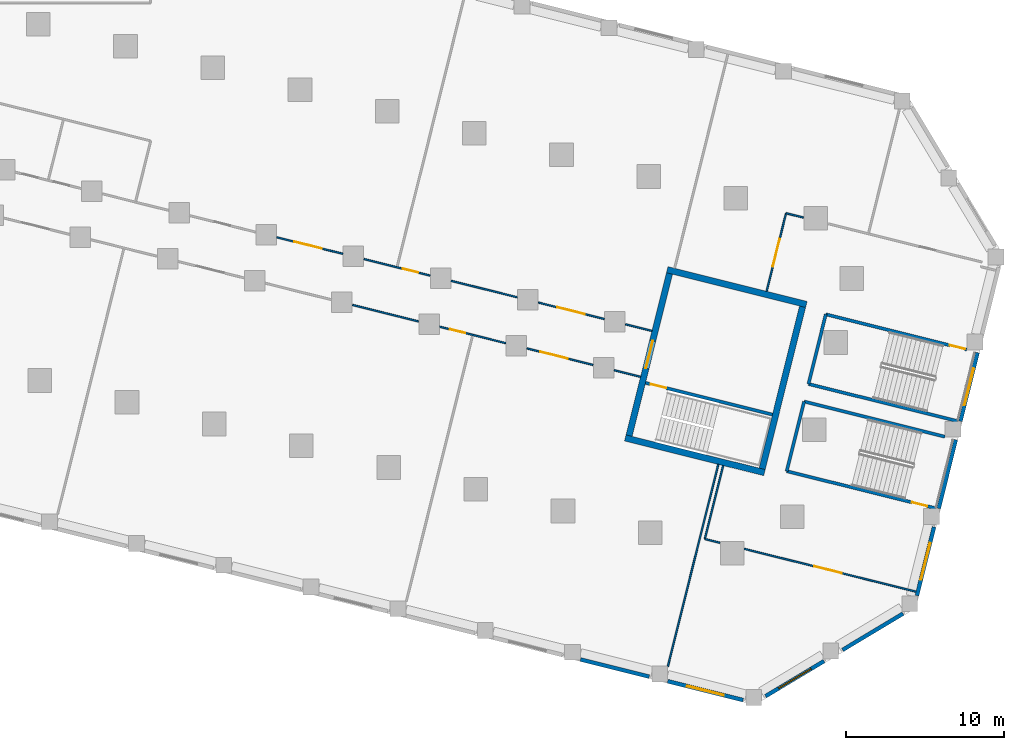
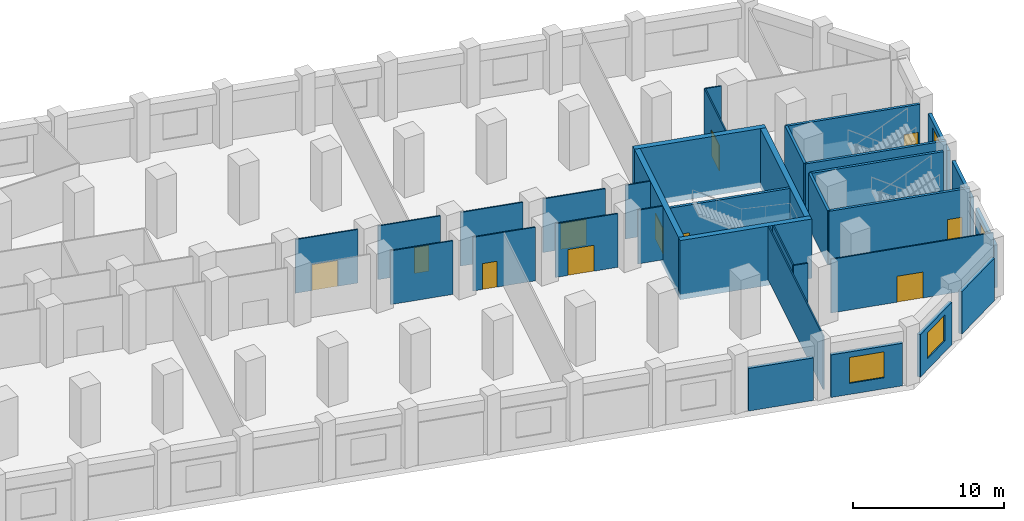
# One storey, part 6 of 15: 33 walls, 11 doors, 4 windows, 15 openings.
"""IFC4 building model written with IfcOpenShell, lengths in metres."""

from ifc_helpers import new_model, si_unit, direction, frame, frame_2d, origin, place, context, subcontext, project, spatial, rectangle, extrude, material, layer, layer_set, type_object, element, fill, save


model = new_model("IFC4")

# Units and contexts
model_context = context("Model", 3, precision=1e-05, world=origin(), true_north=direction((0.0, 1.0)))
body_context = subcontext(model_context, "Body", "Model", "MODEL_VIEW")
ifc_project = project(units=[si_unit("LENGTHUNIT", "METRE"), si_unit("AREAUNIT", "SQUARE_METRE"), si_unit("VOLUMEUNIT", "CUBIC_METRE"), si_unit("PLANEANGLEUNIT", "RADIAN"), si_unit("MASSUNIT", "GRAM", prefix="KILO")], contexts=[model_context])

# Site, building, storey
site_placement = place(None, origin())
site = spatial("IfcSite", under=ifc_project, at=site_placement, CompositionType="ELEMENT")
building_placement = place(site_placement, origin())
building = spatial("IfcBuilding", under=site, at=building_placement, Name="Meshkara Civic Tower", CompositionType="ELEMENT")
storey_placement = place(building_placement, frame((0.0, 0.0, 23.39990234375)))
storey = spatial("IfcBuildingStorey", under=building, at=storey_placement, Name="L04", CompositionType="ELEMENT", Elevation=23.39990234375)

# Wall, opening, door
ifc_material_1 = material(Name="Corridor wall 100")
ifc_layer_1 = layer(ifc_material_1, 0.10009765625)
ifc_layer_set_1 = layer_set([ifc_layer_1], Name="Corridor wall 100")
wall_type_1 = type_object("IfcWallType", Name="Corridor wall 100", PredefinedType="PARTITIONING", material=ifc_layer_set_1)
wall_1_placement = place(storey_placement, frame((58.194091796875, -1.214111328125, 0.0), z_axis=(0.0, 0.0, 1.0), x_axis=(-0.970325134426, 0.241803915396, 0.0)))
wall_1 = element("IfcWall", 1, at=wall_1_placement, inside=storey, type_object=wall_type_1, Name="L04-R063", PredefinedType="PARTITIONING", context=body_context, shape_type="SweptSolid", body=[
    extrude(rectangle(XDim=4.318359375, YDim=0.10009765625, at=frame_2d((2.1591796875, 0.0))), origin(), (0.0, 0.0, 1.0), 4.35009765625),
])
opening_1_placement = place(wall_1_placement, frame((1.3798828125, 0.0, 0.0)))
opening_1 = element("IfcOpeningElement", 2, at=opening_1_placement, cuts=wall_1, Name="Opening L04-P008", PredefinedType="OPENING", context=body_context, shape_type="SweptSolid", body=[
    extrude(rectangle(XDim=1.800048828125, YDim=2.10009765625, at=frame_2d((0.89990234375, 1.050048828125))), frame((0.0, 0.06005859375, 0.0), z_axis=(0.0, -1.0, 0.0), x_axis=(1.0, 0.0, 0.0)), (0.0, 0.0, 1.0), 0.1201171875),
])
ifc_material_2 = material(Name="Door pair 1800 x 2100")
door_type_1 = type_object("IfcDoorType", Name="Door pair 1800 x 2100", OperationType="SINGLE_SWING_LEFT", PredefinedType="DOOR", material=ifc_material_2)
door_1_placement = place(opening_1_placement, origin())
door_1 = element("IfcDoor", 3, at=door_1_placement, inside=storey, type_object=door_type_1, Name="L04-P008", OperationType="DOUBLE_DOOR_SINGLE_SWING", OverallHeight=2.10009765625, OverallWidth=1.800048828125, PredefinedType="DOOR", context=body_context, shape_type="SweptSolid", body=[
    extrude(rectangle(XDim=1.800048828125, YDim=2.10009765625, at=frame_2d((0.89990234375, 1.050048828125))), frame((0.0, 0.02490234375, 0.0), z_axis=(0.0, -1.0, 0.0), x_axis=(1.0, 0.0, 0.0)), (0.0, 0.0, 1.0), 0.050048828125),
])
fill(opening_1, door_1)

# Wall
wall_2_placement = place(storey_placement, frame((58.80908203125, -4.4599609375, 0.0), z_axis=(0.0, 0.0, 1.0), x_axis=(0.970335093604, -0.241763947107, 0.0)))
element("IfcWall", 4, at=wall_2_placement, inside=storey, type_object=wall_type_1, Name="L04-R064", PredefinedType="PARTITIONING", context=body_context, shape_type="SweptSolid", body=[
    extrude(rectangle(XDim=4.318115234375, YDim=0.10009765625, at=frame_2d((2.1591796875, 0.0))), origin(), (0.0, 0.0, 1.0), 4.35009765625),
])

# Wall, opening, door
wall_3_placement = place(storey_placement, frame((59.533935546875, -1.548095703125, 0.0), z_axis=(0.0, 0.0, 1.0), x_axis=(0.970298563138, -0.241910517285, 0.0)))
wall_3 = element("IfcWall", 5, at=wall_3_placement, inside=storey, type_object=wall_type_1, Name="L04-R065", PredefinedType="PARTITIONING", context=body_context, shape_type="SweptSolid", body=[
    extrude(rectangle(XDim=4.3193359375, YDim=0.10009765625, at=frame_2d((2.15966796875, 0.0))), origin(), (0.0, 0.0, 1.0), 4.35009765625),
])
opening_2_placement = place(wall_3_placement, frame((2.5400390625, 0.0, 0.0)))
opening_2 = element("IfcOpeningElement", 6, at=opening_2_placement, cuts=wall_3, Name="Opening L04-P009", PredefinedType="OPENING", context=body_context, shape_type="SweptSolid", body=[
    extrude(rectangle(XDim=1.0, YDim=2.10009765625, at=frame_2d((0.5, 1.050048828125))), frame((0.0, 0.06005859375, 0.0), z_axis=(0.0, -1.0, 0.0), x_axis=(1.0, 0.0, 0.0)), (0.0, 0.0, 1.0), 0.1201171875),
])
ifc_material_3 = material(Name="Door 1000 x 2100")
door_type_2 = type_object("IfcDoorType", Name="Door 1000 x 2100", OperationType="SINGLE_SWING_LEFT", PredefinedType="DOOR", material=ifc_material_3)
door_2_placement = place(opening_2_placement, origin())
door_2 = element("IfcDoor", 7, at=door_2_placement, inside=storey, type_object=door_type_2, Name="L04-P009", OperationType="SINGLE_SWING_LEFT", OverallHeight=2.10009765625, OverallWidth=1.0, PredefinedType="DOOR", context=body_context, shape_type="SweptSolid", body=[
    extrude(rectangle(XDim=1.0, YDim=2.10009765625, at=frame_2d((0.5, 1.050048828125))), frame((0.0, 0.02490234375, 0.0), z_axis=(0.0, -1.0, 0.0), x_axis=(1.0, 0.0, 0.0)), (0.0, 0.0, 1.0), 0.050048828125),
])
fill(opening_2, door_2)

wall_4_placement = place(storey_placement, frame((64.339111328125, -5.837890625, 0.0), z_axis=(0.0, 0.0, 1.0), x_axis=(0.97028198557, -0.241976999897, 0.0)))
wall_4 = element("IfcWall", 8, at=wall_4_placement, inside=storey, type_object=wall_type_1, Name="L04-R066", PredefinedType="PARTITIONING", context=body_context, shape_type="SweptSolid", body=[
    extrude(rectangle(XDim=4.3193359375, YDim=0.10009765625, at=frame_2d((2.15966796875, 0.0))), origin(), (0.0, 0.0, 1.0), 4.35009765625),
])
opening_3_placement = place(wall_4_placement, frame((0.679931640625, 0.0, 0.0)))
opening_3 = element("IfcOpeningElement", 9, at=opening_3_placement, cuts=wall_4, Name="Opening L04-P003", PredefinedType="OPENING", context=body_context, shape_type="SweptSolid", body=[
    extrude(rectangle(XDim=1.0, YDim=2.10009765625, at=frame_2d((0.5, 1.050048828125))), frame((0.0, 0.06005859375, 0.0), z_axis=(0.0, -1.0, 0.0), x_axis=(1.0, 0.0, 0.0)), (0.0, 0.0, 1.0), 0.1201171875),
])
door_3_placement = place(opening_3_placement, origin())
door_3 = element("IfcDoor", 10, at=door_3_placement, inside=storey, type_object=door_type_2, Name="L04-P003", OperationType="SINGLE_SWING_LEFT", OverallHeight=2.10009765625, OverallWidth=1.0, PredefinedType="DOOR", context=body_context, shape_type="SweptSolid", body=[
    extrude(rectangle(XDim=1.0, YDim=2.10009765625, at=frame_2d((0.5, 1.050048828125))), frame((0.0, 0.02490234375, 0.0), z_axis=(0.0, -1.0, 0.0), x_axis=(1.0, 0.0, 0.0)), (0.0, 0.0, 1.0), 0.050048828125),
])
fill(opening_3, door_3)

# Wall
wall_5_placement = place(storey_placement, frame((69.256103515625, -3.971923828125, 0.0), z_axis=(0.0, 0.0, 1.0), x_axis=(-0.970298563138, 0.241910517285, 0.0)))
element("IfcWall", 11, at=wall_5_placement, inside=storey, type_object=wall_type_1, Name="L04-R067", PredefinedType="PARTITIONING", context=body_context, shape_type="SweptSolid", body=[
    extrude(rectangle(XDim=4.3193359375, YDim=0.10009765625, at=frame_2d((2.15966796875, 0.0))), origin(), (0.0, 0.0, 1.0), 4.35009765625),
])

# Wall, opening, door
wall_6_placement = place(storey_placement, frame((69.8701171875, -7.217041015625, 0.0), z_axis=(0.0, 0.0, 1.0), x_axis=(0.970295255208, -0.241923784941, 0.0)))
wall_6 = element("IfcWall", 12, at=wall_6_placement, inside=storey, type_object=wall_type_1, Name="L04-R068", PredefinedType="PARTITIONING", context=body_context, shape_type="SweptSolid", body=[
    extrude(rectangle(XDim=4.3193359375, YDim=0.10009765625, at=frame_2d((2.15966796875, 0.0))), origin(), (0.0, 0.0, 1.0), 4.35009765625),
])
opening_4_placement = place(wall_6_placement, frame((0.8798828125, 0.0, 0.0)))
opening_4 = element("IfcOpeningElement", 13, at=opening_4_placement, cuts=wall_6, Name="Opening L04-P004", PredefinedType="OPENING", context=body_context, shape_type="SweptSolid", body=[
    extrude(rectangle(XDim=1.800048828125, YDim=2.10009765625, at=frame_2d((0.89990234375, 1.050048828125))), frame((0.0, 0.06005859375, 0.0), z_axis=(0.0, -1.0, 0.0), x_axis=(1.0, 0.0, 0.0)), (0.0, 0.0, 1.0), 0.1201171875),
])
door_4_placement = place(opening_4_placement, origin())
door_4 = element("IfcDoor", 14, at=door_4_placement, inside=storey, type_object=door_type_1, Name="L04-P004", OperationType="DOUBLE_DOOR_SINGLE_SWING", OverallHeight=2.10009765625, OverallWidth=1.800048828125, PredefinedType="DOOR", context=body_context, shape_type="SweptSolid", body=[
    extrude(rectangle(XDim=1.800048828125, YDim=2.10009765625, at=frame_2d((0.89990234375, 1.050048828125))), frame((0.0, 0.02490234375, 0.0), z_axis=(0.0, -1.0, 0.0), x_axis=(1.0, 0.0, 0.0)), (0.0, 0.0, 1.0), 0.050048828125),
])
fill(opening_4, door_4)

wall_7_placement = place(storey_placement, frame((74.785888671875, -5.35107421875, 0.0), z_axis=(0.0, 0.0, 1.0), x_axis=(-0.970321828551, 0.241817181023, 0.0)))
wall_7 = element("IfcWall", 15, at=wall_7_placement, inside=storey, type_object=wall_type_1, Name="L04-R069", PredefinedType="PARTITIONING", context=body_context, shape_type="SweptSolid", body=[
    extrude(rectangle(XDim=4.318115234375, YDim=0.10009765625, at=frame_2d((2.1591796875, 0.0))), origin(), (0.0, 0.0, 1.0), 4.35009765625),
])
opening_5_placement = place(wall_7_placement, frame((1.280029296875, 0.0, 0.0)))
opening_5 = element("IfcOpeningElement", 16, at=opening_5_placement, cuts=wall_7, Name="Opening L04-P010", PredefinedType="OPENING", context=body_context, shape_type="SweptSolid", body=[
    extrude(rectangle(XDim=1.800048828125, YDim=2.10009765625, at=frame_2d((0.89990234375, 1.050048828125))), frame((0.0, 0.06005859375, 0.0), z_axis=(0.0, -1.0, 0.0), x_axis=(1.0, 0.0, 0.0)), (0.0, 0.0, 1.0), 0.1201171875),
])
door_5_placement = place(opening_5_placement, origin())
door_5 = element("IfcDoor", 17, at=door_5_placement, inside=storey, type_object=door_type_1, Name="L04-P010", OperationType="DOUBLE_DOOR_SINGLE_SWING", OverallHeight=2.10009765625, OverallWidth=1.800048828125, PredefinedType="DOOR", context=body_context, shape_type="SweptSolid", body=[
    extrude(rectangle(XDim=1.800048828125, YDim=2.10009765625, at=frame_2d((0.89990234375, 1.050048828125))), frame((0.0, 0.02490234375, 0.0), z_axis=(0.0, -1.0, 0.0), x_axis=(1.0, 0.0, 0.0)), (0.0, 0.0, 1.0), 0.050048828125),
])
fill(opening_5, door_5)

# Walls
wall_8_placement = place(storey_placement, frame((75.40087890625, -8.596923828125, 0.0), z_axis=(0.0, 0.0, 1.0), x_axis=(0.970358012919, -0.241671940372, 0.0)))
element("IfcWall", 18, at=wall_8_placement, inside=storey, type_object=wall_type_1, Name="L04-R070", PredefinedType="PARTITIONING", context=body_context, shape_type="SweptSolid", body=[
    extrude(rectangle(XDim=1.7294921875, YDim=0.10009765625, at=frame_2d((0.86474609375, 0.0))), origin(), (0.0, 0.0, 1.0), 4.35009765625),
])
wall_9_placement = place(storey_placement, frame((77.804931640625, -6.10400390625, 0.0), z_axis=(0.0, 0.0, 1.0), x_axis=(-0.97025029366, 0.242104043031, 0.0)))
element("IfcWall", 19, at=wall_9_placement, inside=storey, type_object=wall_type_1, Name="L04-R071", PredefinedType="PARTITIONING", context=body_context, shape_type="SweptSolid", body=[
    extrude(rectangle(XDim=1.73046875, YDim=0.10009765625, at=frame_2d((0.865234375, 0.0))), origin(), (0.0, 0.0, 1.0), 4.35009765625),
])
wall_10_placement = place(storey_placement, frame((81.159912109375, -19.30810546875, 0.0), z_axis=(0.0, 0.0, 1.0), x_axis=(0.970258747404, -0.242070161495, 0.0)))
element("IfcWall", 20, at=wall_10_placement, inside=storey, type_object=wall_type_1, Name="L04-R072", PredefinedType="PARTITIONING", context=body_context, shape_type="SweptSolid", body=[
    extrude(rectangle(XDim=0.9873046875, YDim=0.10009765625, at=frame_2d((0.49365234375, 0.0))), origin(), (0.0, 0.0, 1.0), 4.35009765625),
])
wall_11_placement = place(storey_placement, frame((82.321044921875, -14.65087890625, 0.0), z_axis=(0.0, 0.0, 1.0), x_axis=(-0.241913228726, -0.970297887129, 0.0)))
element("IfcWall", 21, at=wall_11_placement, inside=storey, type_object=wall_type_1, Name="L04-R073", PredefinedType="PARTITIONING", context=body_context, shape_type="SweptSolid", body=[
    extrude(rectangle(XDim=4.7998046875, YDim=0.10009765625, at=frame_2d((2.39990234375, 0.0))), origin(), (0.0, 0.0, 1.0), 4.35009765625),
])

# Wall, opening, door
wall_12_placement = place(storey_placement, frame((83.657958984375, -19.930908203125, 0.0), z_axis=(0.0, 0.0, 1.0), x_axis=(0.970304770319, -0.241885619034, 0.0)))
wall_12 = element("IfcWall", 22, at=wall_12_placement, inside=storey, type_object=wall_type_1, Name="L04-R074", PredefinedType="PARTITIONING", context=body_context, shape_type="SweptSolid", body=[
    extrude(rectangle(XDim=11.224609375, YDim=0.10009765625, at=frame_2d((5.6123046875, 0.0))), origin(), (0.0, 0.0, 1.0), 4.35009765625),
])
opening_6_placement = place(wall_12_placement, frame((4.580078125, 0.0, 0.0)))
opening_6 = element("IfcOpeningElement", 23, at=opening_6_placement, cuts=wall_12, Name="Opening L04-P001", PredefinedType="OPENING", context=body_context, shape_type="SweptSolid", body=[
    extrude(rectangle(XDim=1.800048828125, YDim=2.10009765625, at=frame_2d((0.89990234375, 1.050048828125))), frame((0.0, 0.06005859375, 0.0), z_axis=(0.0, -1.0, 0.0), x_axis=(1.0, 0.0, 0.0)), (0.0, 0.0, 1.0), 0.1201171875),
])
door_6_placement = place(opening_6_placement, origin())
door_6 = element("IfcDoor", 24, at=door_6_placement, inside=storey, type_object=door_type_1, Name="L04-P001", OperationType="DOUBLE_DOOR_SINGLE_SWING", OverallHeight=2.10009765625, OverallWidth=1.800048828125, PredefinedType="DOOR", context=body_context, shape_type="SweptSolid", body=[
    extrude(rectangle(XDim=1.800048828125, YDim=2.10009765625, at=frame_2d((0.89990234375, 1.050048828125))), frame((0.0, 0.02490234375, 0.0), z_axis=(0.0, -1.0, 0.0), x_axis=(1.0, 0.0, 0.0)), (0.0, 0.0, 1.0), 0.050048828125),
])
fill(opening_6, door_6)

wall_13_placement = place(storey_placement, frame((86.31298828125, 1.35888671875, 0.0), z_axis=(0.0, 0.0, 1.0), x_axis=(-0.241961080538, -0.970285955533, 0.0)))
wall_13 = element("IfcWall", 25, at=wall_13_placement, inside=storey, type_object=wall_type_1, Name="L04-R075", PredefinedType="PARTITIONING", context=body_context, shape_type="SweptSolid", body=[
    extrude(rectangle(XDim=5.099609375, YDim=0.10009765625, at=frame_2d((2.5498046875, 0.0))), origin(), (0.0, 0.0, 1.0), 4.35009765625),
])
opening_7_placement = place(wall_13_placement, frame((1.679931640625, 0.0, 0.0)))
opening_7 = element("IfcOpeningElement", 26, at=opening_7_placement, cuts=wall_13, Name="Opening L04-P011", PredefinedType="OPENING", context=body_context, shape_type="SweptSolid", body=[
    extrude(rectangle(XDim=1.800048828125, YDim=2.10009765625, at=frame_2d((0.89990234375, 1.050048828125))), frame((0.0, 0.06005859375, 0.0), z_axis=(0.0, -1.0, 0.0), x_axis=(1.0, 0.0, 0.0)), (0.0, 0.0, 1.0), 0.1201171875),
])
door_7_placement = place(opening_7_placement, origin())
door_7 = element("IfcDoor", 27, at=door_7_placement, inside=storey, type_object=door_type_1, Name="L04-P011", OperationType="DOUBLE_DOOR_SINGLE_SWING", OverallHeight=2.10009765625, OverallWidth=1.800048828125, PredefinedType="DOOR", context=body_context, shape_type="SweptSolid", body=[
    extrude(rectangle(XDim=1.800048828125, YDim=2.10009765625, at=frame_2d((0.89990234375, 1.050048828125))), frame((0.0, 0.02490234375, 0.0), z_axis=(0.0, -1.0, 0.0), x_axis=(1.0, 0.0, 0.0)), (0.0, 0.0, 1.0), 0.050048828125),
])
fill(opening_7, door_7)

# Walls
wall_14_placement = place(storey_placement, frame((87.416015625, 1.083984375, 0.0), z_axis=(0.0, 0.0, 1.0), x_axis=(-0.970319109457, 0.241828091467, 0.0)))
element("IfcWall", 28, at=wall_14_placement, inside=storey, type_object=wall_type_1, Name="L04-R077", PredefinedType="PARTITIONING", context=body_context, shape_type="SweptSolid", body=[
    extrude(rectangle(XDim=1.13671875, YDim=0.10009765625, at=frame_2d((0.568359375, 0.0))), origin(), (0.0, 0.0, 1.0), 4.35009765625),
])
ifc_material_4 = material(Name="Concrete C80", Category="concrete")
ifc_layer_2 = layer(ifc_material_4, 0.39990234375)
ifc_layer_set_2 = layer_set([ifc_layer_2], Name="End core ring wall 400 C80")
wall_type_2 = type_object("IfcWallType", Name="End core ring wall 400 C80", PredefinedType="SHEAR", material=ifc_layer_set_2)
wall_15_placement = place(storey_placement, frame((76.111083984375, -12.89599609375, -0.449951171875), z_axis=(0.0, 0.0, 1.0), x_axis=(0.970311127573, -0.241860115992, 0.0)))
element("IfcWall", 29, at=wall_15_placement, inside=storey, type_object=wall_type_2, Name="L04-C031", PredefinedType="SHEAR", context=body_context, shape_type="SweptSolid", body=[
    extrude(rectangle(XDim=9.10009765625, YDim=0.39990234375, at=frame_2d((4.550048828125, 0.0))), origin(), (0.0, 0.0, 1.0), 4.800048828125),
])
wall_16_placement = place(storey_placement, frame((78.77197265625, -2.222900390625, -0.449951171875), z_axis=(0.0, 0.0, 1.0), x_axis=(0.970306400786, -0.241879078453, 0.0)))
element("IfcWall", 30, at=wall_16_placement, inside=storey, type_object=wall_type_2, Name="L04-C032", PredefinedType="SHEAR", context=body_context, shape_type="SweptSolid", body=[
    extrude(rectangle(XDim=9.100341796875, YDim=0.39990234375, at=frame_2d((4.55029296875, 0.0))), origin(), (0.0, 0.0, 1.0), 4.800048828125),
])

# Wall, opening, door
wall_17_placement = place(storey_placement, frame((76.35302734375, -12.75, -0.449951171875), z_axis=(0.0, 0.0, 1.0), x_axis=(0.241977390218, 0.970281888228, 0.0)))
wall_17 = element("IfcWall", 31, at=wall_17_placement, inside=storey, type_object=wall_type_2, Name="L04-C033", PredefinedType="SHEAR", context=body_context, shape_type="SweptSolid", body=[
    extrude(rectangle(XDim=10.599853515625, YDim=0.39990234375, at=frame_2d((5.2998046875, 0.0))), origin(), (0.0, 0.0, 1.0), 4.800048828125),
])
opening_8_placement = place(wall_17_placement, frame((4.39990234375, 0.0, 0.449951171875)))
opening_8 = element("IfcOpeningElement", 32, at=opening_8_placement, cuts=wall_17, Name="Opening L04-K202", PredefinedType="OPENING", context=body_context, shape_type="SweptSolid", body=[
    extrude(rectangle(XDim=1.800048828125, YDim=2.10009765625, at=frame_2d((0.89990234375, 1.050048828125))), frame((0.0, 0.2099609375, 0.0), z_axis=(0.0, -1.0, 0.0), x_axis=(1.0, 0.0, 0.0)), (0.0, 0.0, 1.0), 0.419921875),
])
ifc_material_5 = material(Name="Fire-rated door leaf in steel frame", Category="steel")
door_type_3 = type_object("IfcDoorType", Name="Core double door 1800 EI 60", OperationType="DOUBLE_DOOR_SINGLE_SWING", PredefinedType="DOOR", material=ifc_material_5)
door_8_placement = place(opening_8_placement, origin())
door_8 = element("IfcDoor", 33, at=door_8_placement, inside=storey, type_object=door_type_3, Name="L04-K202", OperationType="DOUBLE_DOOR_SINGLE_SWING", OverallHeight=2.10009765625, OverallWidth=1.800048828125, PredefinedType="DOOR", context=body_context, shape_type="SweptSolid", body=[
    extrude(rectangle(XDim=1.800048828125, YDim=2.10009765625, at=frame_2d((0.89990234375, 1.050048828125))), frame((0.0, 0.02490234375, 0.0), z_axis=(0.0, -1.0, 0.0), x_axis=(1.0, 0.0, 0.0)), (0.0, 0.0, 1.0), 0.050048828125),
])
fill(opening_8, door_8)

# Walls
wall_18_placement = place(storey_placement, frame((84.794921875, -14.85498046875, -0.449951171875), z_axis=(0.0, 0.0, 1.0), x_axis=(0.241890652548, 0.970303515509, 0.0)))
element("IfcWall", 34, at=wall_18_placement, inside=storey, type_object=wall_type_2, Name="L04-C034", PredefinedType="SHEAR", context=body_context, shape_type="SweptSolid", body=[
    extrude(rectangle(XDim=10.599609375, YDim=0.39990234375, at=frame_2d((5.2998046875, 0.0))), origin(), (0.0, 0.0, 1.0), 4.800048828125),
])
ifc_material_6 = material(Name="Stone cladding on insulated backing wall", Category="masonry")
ifc_layer_3 = layer(ifc_material_6, 0.25)
ifc_layer_set_3 = layer_set([ifc_layer_3], Name="PODIUM STONE WALL 250")
wall_type_3 = type_object("IfcWallType", Name="PODIUM STONE WALL 250", PredefinedType="SOLIDWALL", material=ifc_layer_set_3)
wall_19_placement = place(storey_placement, frame((73.27294921875, -26.951904296875, 0.0), z_axis=(0.0, 0.0, 1.0), x_axis=(0.970263990019, -0.242049147224, 0.0)))
element("IfcWall", 35, at=wall_19_placement, inside=storey, type_object=wall_type_3, Name="Podium external wall", PredefinedType="SOLIDWALL", context=body_context, shape_type="SweptSolid", body=[
    extrude(rectangle(XDim=4.487548828125, YDim=0.25, at=frame_2d((2.24365234375, 0.0))), origin(), (0.0, 0.0, 1.0), 3.4501953125),
])

# Wall, opening, window
wall_20_placement = place(storey_placement, frame((78.803955078125, -28.3310546875, 0.0), z_axis=(0.0, 0.0, 1.0), x_axis=(0.970305357377, -0.241883264089, 0.0)))
wall_20 = element("IfcWall", 36, at=wall_20_placement, inside=storey, type_object=wall_type_3, Name="Podium external wall", PredefinedType="SOLIDWALL", context=body_context, shape_type="SweptSolid", body=[
    extrude(rectangle(XDim=4.931640625, YDim=0.25, at=frame_2d((2.4658203125, 0.0))), origin(), (0.0, 0.0, 1.0), 3.4501953125),
])
opening_9_placement = place(wall_20_placement, frame((1.26611328125, 0.0, 0.89990234375)))
opening_9 = element("IfcOpeningElement", 37, at=opening_9_placement, cuts=wall_20, Name="Opening PW10", PredefinedType="OPENING", context=body_context, shape_type="SweptSolid", body=[
    extrude(rectangle(XDim=2.39990234375, YDim=2.10009765625, at=frame_2d((1.199951171875, 1.050048828125))), frame((0.0, 0.135009765625, 0.0), z_axis=(0.0, -1.0, 0.0), x_axis=(1.0, 0.0, 0.0)), (0.0, 0.0, 1.0), 0.27001953125),
])
ifc_material_7 = material(Name="Tinted double glazing", Category="glass")
window_type = type_object("IfcWindowType", Name="PODIUM WINDOW 2400x2100", PartitioningType="DOUBLE_PANEL_VERTICAL", PredefinedType="WINDOW", material=ifc_material_7)
window_1_placement = place(opening_9_placement, origin())
window_1 = element("IfcWindow", 38, at=window_1_placement, inside=storey, type_object=window_type, Name="Podium window", OverallHeight=2.10009765625, OverallWidth=2.39990234375, PartitioningType="DOUBLE_PANEL_VERTICAL", PredefinedType="WINDOW", context=body_context, shape_type="SweptSolid", body=[
    extrude(rectangle(XDim=2.39990234375, YDim=2.10009765625, at=frame_2d((1.199951171875, 1.050048828125))), frame((0.0, 0.030029296875, 0.0), z_axis=(0.0, -1.0, 0.0), x_axis=(1.0, 0.0, 0.0)), (0.0, 0.0, 1.0), 0.06005859375),
])
fill(opening_9, window_1)

wall_21_placement = place(storey_placement, frame((85.011962890625, -29.280029296875, 0.0), z_axis=(0.0, 0.0, 1.0), x_axis=(0.857124320069, 0.515109599936, 0.0)))
wall_21 = element("IfcWall", 39, at=wall_21_placement, inside=storey, type_object=wall_type_3, Name="Podium external wall", PredefinedType="SOLIDWALL", context=body_context, shape_type="SweptSolid", body=[
    extrude(rectangle(XDim=4.3271484375, YDim=0.25, at=frame_2d((2.16357421875, 0.0))), origin(), (0.0, 0.0, 1.0), 3.4501953125),
])
opening_10_placement = place(wall_21_placement, frame((0.964111328125, 0.0, 0.89990234375)))
opening_10 = element("IfcOpeningElement", 40, at=opening_10_placement, cuts=wall_21, Name="Opening PW10", PredefinedType="OPENING", context=body_context, shape_type="SweptSolid", body=[
    extrude(rectangle(XDim=2.39990234375, YDim=2.10009765625, at=frame_2d((1.199951171875, 1.050048828125))), frame((0.0, 0.135009765625, 0.0), z_axis=(0.0, -1.0, 0.0), x_axis=(1.0, 0.0, 0.0)), (0.0, 0.0, 1.0), 0.27001953125),
])
window_2_placement = place(opening_10_placement, origin())
window_2 = element("IfcWindow", 41, at=window_2_placement, inside=storey, type_object=window_type, Name="Podium window", OverallHeight=2.10009765625, OverallWidth=2.39990234375, PartitioningType="DOUBLE_PANEL_VERTICAL", PredefinedType="WINDOW", context=body_context, shape_type="SweptSolid", body=[
    extrude(rectangle(XDim=2.39990234375, YDim=2.10009765625, at=frame_2d((1.199951171875, 1.050048828125))), frame((0.0, 0.030029296875, 0.0), z_axis=(0.0, -1.0, 0.0), x_axis=(1.0, 0.0, 0.0)), (0.0, 0.0, 1.0), 0.06005859375),
])
fill(opening_10, window_2)

# Wall
wall_22_placement = place(storey_placement, frame((89.89794921875, -26.344970703125, 0.0), z_axis=(0.0, 0.0, 1.0), x_axis=(0.857102702083, 0.515145569797, 0.0)))
element("IfcWall", 42, at=wall_22_placement, inside=storey, type_object=wall_type_3, Name="Podium external wall", PredefinedType="SOLIDWALL", context=body_context, shape_type="SweptSolid", body=[
    extrude(rectangle(XDim=4.474365234375, YDim=0.25, at=frame_2d((2.2373046875, 0.0))), origin(), (0.0, 0.0, 1.0), 3.4501953125),
])

# Wall, opening, window
wall_23_placement = place(storey_placement, frame((94.614990234375, -22.89892578125, 0.0), z_axis=(0.0, 0.0, 1.0), x_axis=(0.241946839653, 0.970289506684, 0.0)))
wall_23 = element("IfcWall", 43, at=wall_23_placement, inside=storey, type_object=wall_type_3, Name="Podium external wall", PredefinedType="SOLIDWALL", context=body_context, shape_type="SweptSolid", body=[
    extrude(rectangle(XDim=4.48828125, YDim=0.25, at=frame_2d((2.244140625, 0.0))), origin(), (0.0, 0.0, 1.0), 3.4501953125),
])
opening_11_placement = place(wall_23_placement, frame((1.0439453125, 0.0, 0.89990234375)))
opening_11 = element("IfcOpeningElement", 44, at=opening_11_placement, cuts=wall_23, Name="Opening PW10", PredefinedType="OPENING", context=body_context, shape_type="SweptSolid", body=[
    extrude(rectangle(XDim=2.39990234375, YDim=2.10009765625, at=frame_2d((1.199951171875, 1.050048828125))), frame((0.0, 0.135009765625, 0.0), z_axis=(0.0, -1.0, 0.0), x_axis=(1.0, 0.0, 0.0)), (0.0, 0.0, 1.0), 0.27001953125),
])
window_3_placement = place(opening_11_placement, origin())
window_3 = element("IfcWindow", 45, at=window_3_placement, inside=storey, type_object=window_type, Name="Podium window", OverallHeight=2.10009765625, OverallWidth=2.39990234375, PartitioningType="DOUBLE_PANEL_VERTICAL", PredefinedType="WINDOW", context=body_context, shape_type="SweptSolid", body=[
    extrude(rectangle(XDim=2.39990234375, YDim=2.10009765625, at=frame_2d((1.199951171875, 1.050048828125))), frame((0.0, 0.030029296875, 0.0), z_axis=(0.0, -1.0, 0.0), x_axis=(1.0, 0.0, 0.0)), (0.0, 0.0, 1.0), 0.06005859375),
])
fill(opening_11, window_3)

# Wall
wall_24_placement = place(storey_placement, frame((95.9951171875, -17.367919921875, 0.0), z_axis=(0.0, 0.0, 1.0), x_axis=(0.241793032904, 0.970327846266, 0.0)))
element("IfcWall", 46, at=wall_24_placement, inside=storey, type_object=wall_type_3, Name="Podium external wall", PredefinedType="SOLIDWALL", context=body_context, shape_type="SweptSolid", body=[
    extrude(rectangle(XDim=4.487060546875, YDim=0.25, at=frame_2d((2.24365234375, 0.0))), origin(), (0.0, 0.0, 1.0), 3.4501953125),
])

# Wall, opening, window
wall_25_placement = place(storey_placement, frame((97.373046875, -11.837890625, 0.0), z_axis=(0.0, 0.0, 1.0), x_axis=(0.241946839653, 0.970289506684, 0.0)))
wall_25 = element("IfcWall", 47, at=wall_25_placement, inside=storey, type_object=wall_type_3, Name="Podium external wall", PredefinedType="SOLIDWALL", context=body_context, shape_type="SweptSolid", body=[
    extrude(rectangle(XDim=4.48828125, YDim=0.25, at=frame_2d((2.244140625, 0.0))), origin(), (0.0, 0.0, 1.0), 3.4501953125),
])
opening_12_placement = place(wall_25_placement, frame((1.0439453125, 0.0, 0.89990234375)))
opening_12 = element("IfcOpeningElement", 48, at=opening_12_placement, cuts=wall_25, Name="Opening PW10", PredefinedType="OPENING", context=body_context, shape_type="SweptSolid", body=[
    extrude(rectangle(XDim=2.39990234375, YDim=2.10009765625, at=frame_2d((1.199951171875, 1.050048828125))), frame((0.0, 0.135009765625, 0.0), z_axis=(0.0, -1.0, 0.0), x_axis=(1.0, 0.0, 0.0)), (0.0, 0.0, 1.0), 0.27001953125),
])
window_4_placement = place(opening_12_placement, origin())
window_4 = element("IfcWindow", 49, at=window_4_placement, inside=storey, type_object=window_type, Name="Podium window", OverallHeight=2.10009765625, OverallWidth=2.39990234375, PartitioningType="DOUBLE_PANEL_VERTICAL", PredefinedType="WINDOW", context=body_context, shape_type="SweptSolid", body=[
    extrude(rectangle(XDim=2.39990234375, YDim=2.10009765625, at=frame_2d((1.199951171875, 1.050048828125))), frame((0.0, 0.030029296875, 0.0), z_axis=(0.0, -1.0, 0.0), x_axis=(1.0, 0.0, 0.0)), (0.0, 0.0, 1.0), 0.06005859375),
])
fill(opening_12, window_4)

# Wall
ifc_material_8 = material(Name="Partition 100")
ifc_layer_4 = layer(ifc_material_8, 0.10009765625)
ifc_layer_set_4 = layer_set([ifc_layer_4], Name="Partition 100")
wall_type_4 = type_object("IfcWallType", Name="Partition 100", PredefinedType="PARTITIONING", material=ifc_layer_set_4)
wall_26_placement = place(storey_placement, frame((78.81396484375, -27.39111328125, 0.0), z_axis=(0.0, 0.0, 1.0), x_axis=(0.242000743869, 0.970276063792, 0.0)))
element("IfcWall", 50, at=wall_26_placement, inside=storey, type_object=wall_type_4, Name="L04-R108", PredefinedType="PARTITIONING", context=body_context, shape_type="SweptSolid", body=[
    extrude(rectangle(XDim=13.210693359375, YDim=0.10009765625, at=frame_2d((6.60546875, 0.0))), origin(), (0.0, 0.0, 1.0), 4.35009765625),
])

# Wall, opening, door
ifc_material_9 = material(Name="Concrete C40/50", Category="concrete")
ifc_layer_5 = layer(ifc_material_9, 0.199951171875)
ifc_layer_set_5 = layer_set([ifc_layer_5], Name="Stair enclosure wall 200 C40/50")
wall_type_5 = type_object("IfcWallType", Name="Stair enclosure wall 200 C40/50", PredefinedType="SOLIDWALL", material=ifc_layer_set_5)
wall_27_placement = place(storey_placement, frame((77.39404296875, -9.403076171875, 0.0), z_axis=(0.0, 0.0, 1.0), x_axis=(0.970303192681, -0.241891947516, 0.0)))
wall_27 = element("IfcWall", 51, at=wall_27_placement, inside=storey, type_object=wall_type_5, Name="L04-C035", PredefinedType="SOLIDWALL", context=body_context, shape_type="SweptSolid", body=[
    extrude(rectangle(XDim=8.300537109375, YDim=0.199951171875, at=frame_2d((4.150390625, 0.0))), origin(), (0.0, 0.0, 1.0), 4.35009765625),
])
opening_13_placement = place(wall_27_placement, frame((0.35009765625, 0.0, 0.0)))
opening_13 = element("IfcOpeningElement", 52, at=opening_13_placement, cuts=wall_27, Name="Opening L04-K201", PredefinedType="OPENING", context=body_context, shape_type="SweptSolid", body=[
    extrude(rectangle(XDim=1.0, YDim=2.10009765625, at=frame_2d((0.5, 1.050048828125))), frame((0.0, 0.10986328125, 0.0), z_axis=(0.0, -1.0, 0.0), x_axis=(1.0, 0.0, 0.0)), (0.0, 0.0, 1.0), 0.219970703125),
])
ifc_material_10 = material(Name="Fire-rated door leaf in steel frame", Category="steel")
door_type_4 = type_object("IfcDoorType", Name="Stair door 1000 EI 120", OperationType="SINGLE_SWING_LEFT", PredefinedType="DOOR", material=ifc_material_10)
door_9_placement = place(opening_13_placement, origin())
door_9 = element("IfcDoor", 53, at=door_9_placement, inside=storey, type_object=door_type_4, Name="L04-K201", OperationType="SINGLE_SWING_LEFT", OverallHeight=2.10009765625, OverallWidth=1.0, PredefinedType="DOOR", context=body_context, shape_type="SweptSolid", body=[
    extrude(rectangle(XDim=1.0, YDim=2.10009765625, at=frame_2d((0.5, 1.050048828125))), frame((0.0, 0.02490234375, 0.0), z_axis=(0.0, -1.0, 0.0), x_axis=(1.0, 0.0, 0.0)), (0.0, 0.0, 1.0), 0.050048828125),
])
fill(opening_13, door_9)

# Walls
wall_28_placement = place(storey_placement, frame((86.35595703125, -15.001953125, 0.0), z_axis=(0.0, 0.0, 1.0), x_axis=(0.241778041767, 0.970331581739, 0.0)))
element("IfcWall", 54, at=wall_28_placement, inside=storey, type_object=wall_type_5, Name="L04-R076", PredefinedType="SOLIDWALL", context=body_context, shape_type="SweptSolid", body=[
    extrude(rectangle(XDim=4.550048828125, YDim=0.199951171875, at=frame_2d((2.27490234375, 0.0))), origin(), (0.0, 0.0, 1.0), 4.35009765625),
])
wall_29_placement = place(storey_placement, frame((87.4560546875, -10.5869140625, 0.0), z_axis=(0.0, 0.0, 1.0), x_axis=(0.97028891911, -0.241949196016, 0.0)))
element("IfcWall", 55, at=wall_29_placement, inside=storey, type_object=wall_type_5, Name="L04-R078", PredefinedType="SOLIDWALL", context=body_context, shape_type="SweptSolid", body=[
    extrude(rectangle(XDim=9.208740234375, YDim=0.199951171875, at=frame_2d((4.6044921875, 0.0))), origin(), (0.0, 0.0, 1.0), 4.35009765625),
])
wall_30_placement = place(storey_placement, frame((87.735107421875, -9.470947265625, 0.0), z_axis=(0.0, 0.0, 1.0), x_axis=(0.241727520474, 0.970344168759, 0.0)))
element("IfcWall", 56, at=wall_30_placement, inside=storey, type_object=wall_type_5, Name="L04-R079", PredefinedType="SOLIDWALL", context=body_context, shape_type="SweptSolid", body=[
    extrude(rectangle(XDim=4.550048828125, YDim=0.199951171875, at=frame_2d((2.27490234375, 0.0))), origin(), (0.0, 0.0, 1.0), 4.35009765625),
])

# Wall, opening, door
wall_31_placement = place(storey_placement, frame((88.8349609375, -5.055908203125, 0.0), z_axis=(0.0, 0.0, 1.0), x_axis=(0.97028891911, -0.241949196016, 0.0)))
wall_31 = element("IfcWall", 57, at=wall_31_placement, inside=storey, type_object=wall_type_5, Name="L04-R080", PredefinedType="SOLIDWALL", context=body_context, shape_type="SweptSolid", body=[
    extrude(rectangle(XDim=9.208740234375, YDim=0.199951171875, at=frame_2d((4.6044921875, 0.0))), origin(), (0.0, 0.0, 1.0), 4.35009765625),
])
opening_14_placement = place(wall_31_placement, frame((8.10009765625, 0.0, 0.0)))
opening_14 = element("IfcOpeningElement", 58, at=opening_14_placement, cuts=wall_31, Name="Opening L04-P005", PredefinedType="OPENING", context=body_context, shape_type="SweptSolid", body=[
    extrude(rectangle(XDim=1.0, YDim=2.10009765625, at=frame_2d((0.5, 1.050048828125))), frame((0.0, 0.10986328125, 0.0), z_axis=(0.0, -1.0, 0.0), x_axis=(1.0, 0.0, 0.0)), (0.0, 0.0, 1.0), 0.219970703125),
])
door_10_placement = place(opening_14_placement, origin())
door_10 = element("IfcDoor", 59, at=door_10_placement, inside=storey, type_object=door_type_2, Name="L04-P005", OperationType="SINGLE_SWING_LEFT", OverallHeight=2.10009765625, OverallWidth=1.0, PredefinedType="DOOR", context=body_context, shape_type="SweptSolid", body=[
    extrude(rectangle(XDim=1.0, YDim=2.10009765625, at=frame_2d((0.5, 1.050048828125))), frame((0.0, 0.02490234375, 0.0), z_axis=(0.0, -1.0, 0.0), x_axis=(1.0, 0.0, 0.0)), (0.0, 0.0, 1.0), 0.050048828125),
])
fill(opening_14, door_10)

wall_32_placement = place(storey_placement, frame((86.35595703125, -15.001953125, 0.0), z_axis=(0.0, 0.0, 1.0), x_axis=(0.970288396191, -0.241951293066, 0.0)))
wall_32 = element("IfcWall", 60, at=wall_32_placement, inside=storey, type_object=wall_type_5, Name="L04-R082", PredefinedType="SOLIDWALL", context=body_context, shape_type="SweptSolid", body=[
    extrude(rectangle(XDim=9.7333984375, YDim=0.199951171875, at=frame_2d((4.86669921875, 0.0))), origin(), (0.0, 0.0, 1.0), 4.35009765625),
])
opening_15_placement = place(wall_32_placement, frame((8.18310546875, 0.0, 0.0)))
opening_15 = element("IfcOpeningElement", 61, at=opening_15_placement, cuts=wall_32, Name="Opening L04-P002", PredefinedType="OPENING", context=body_context, shape_type="SweptSolid", body=[
    extrude(rectangle(XDim=1.0, YDim=2.10009765625, at=frame_2d((0.5, 1.050048828125))), frame((0.0, 0.10986328125, 0.0), z_axis=(0.0, -1.0, 0.0), x_axis=(1.0, 0.0, 0.0)), (0.0, 0.0, 1.0), 0.219970703125),
])
door_11_placement = place(opening_15_placement, origin())
door_11 = element("IfcDoor", 62, at=door_11_placement, inside=storey, type_object=door_type_2, Name="L04-P002", OperationType="SINGLE_SWING_LEFT", OverallHeight=2.10009765625, OverallWidth=1.0, PredefinedType="DOOR", context=body_context, shape_type="SweptSolid", body=[
    extrude(rectangle(XDim=1.0, YDim=2.10009765625, at=frame_2d((0.5, 1.050048828125))), frame((0.0, 0.02490234375, 0.0), z_axis=(0.0, -1.0, 0.0), x_axis=(1.0, 0.0, 0.0)), (0.0, 0.0, 1.0), 0.050048828125),
])
fill(opening_15, door_11)

# Wall
wall_33_placement = place(storey_placement, frame((97.18310546875, -11.826904296875, 0.0), z_axis=(0.0, 0.0, 1.0), x_axis=(-0.970288335935, 0.241951534711, 0.0)))
element("IfcWall", 63, at=wall_33_placement, inside=storey, type_object=wall_type_5, Name="L04-R083", PredefinedType="SOLIDWALL", context=body_context, shape_type="SweptSolid", body=[
    extrude(rectangle(XDim=9.7373046875, YDim=0.199951171875, at=frame_2d((4.86865234375, 0.0))), origin(), (0.0, 0.0, 1.0), 4.35009765625),
])

save(model, "model.ifc")
